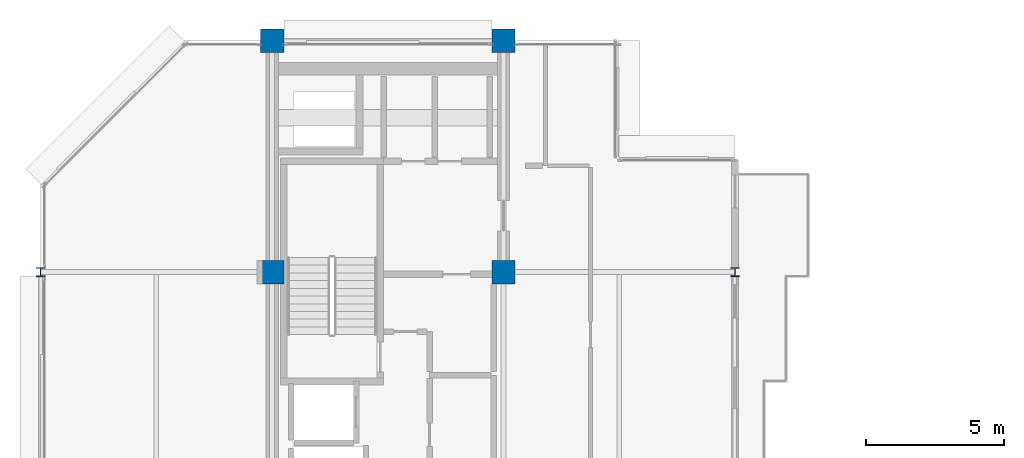
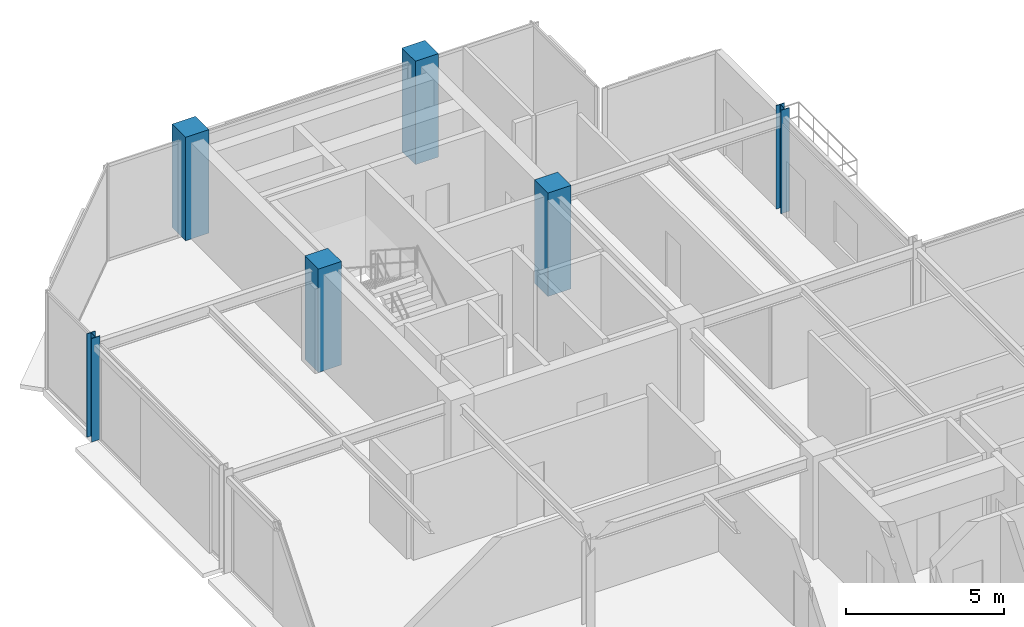
# One storey, part 2 of 27: 6 columns.
"""IFC4 building model written with IfcOpenShell, lengths in metres."""

from ifc_helpers import new_model, si_unit, direction, frame, origin, origin_2d, place, context, subcontext, project, spatial, rectangle, i_section, extrude, material, material_profile, profile_set, type_object, element, save


model = new_model("IFC4")

# Units and contexts
model_context = context("Model", 3, precision=1e-05, world=origin(), true_north=direction((0.0, 1.0)))
body_context = subcontext(model_context, "Body", "Model", "MODEL_VIEW")
ifc_project = project(units=[si_unit("LENGTHUNIT", "METRE"), si_unit("AREAUNIT", "SQUARE_METRE"), si_unit("VOLUMEUNIT", "CUBIC_METRE"), si_unit("PLANEANGLEUNIT", "RADIAN"), si_unit("MASSUNIT", "GRAM", prefix="KILO")], contexts=[model_context])

# Site, building, storey
site_placement = place(None, origin())
site = spatial("IfcSite", under=ifc_project, at=site_placement, CompositionType="ELEMENT")
building_placement = place(site_placement, origin())
building = spatial("IfcBuilding", under=site, at=building_placement, Name="Nerrivon Quay Data Exchange", CompositionType="ELEMENT")
storey_placement = place(building_placement, frame((0.0, 0.0, 254.199951171875)))
storey = spatial("IfcBuildingStorey", under=building, at=storey_placement, Name="L60", CompositionType="ELEMENT", Elevation=254.199951171875)

# Columns
ifc_material_1 = material(Name="Concrete N50 (50 MPa)", Category="concrete")
ifc_material_profile_1 = material_profile(ifc_material_1, rectangle(XDim=0.85009765625, YDim=0.85009765625, at=origin_2d()), Name="RC-COL-850x850")
ifc_profile_set_1 = profile_set([ifc_material_profile_1], Name="Concrete N50 (50 MPa)")
column_type_1 = type_object("IfcColumnType", Name="COL-C5-850", PredefinedType="COLUMN", material=ifc_profile_set_1)
for number, where, z_axis, x_axis, name in (
    (1, (8.39990234375, 33.60009765625, 0.0), (0.0, 0.0, 1.0), (1.0, 0.0, 0.0), "L60 Column (8.4,33.6)"),
    (2, (8.39990234375, 42.0, 0.0), (0.0, 0.0, 1.0), (1.0, 0.0, 0.0), "L60 Column (8.4,42.0)"),
    (3, (16.800048828125, 33.60009765625, 0.0), (0.0, 0.0, 1.0), (1.0, 0.0, 0.0), "L60 Column (16.8,33.6)"),
    (4, (16.800048828125, 42.0, 0.0), (0.0, 0.0, 1.0), (1.0, 0.0, 0.0), "L60 Column (16.8,42.0)"),
):
    element("IfcColumn", number, at=place(storey_placement, frame(where, z_axis=z_axis, x_axis=x_axis)), inside=storey, type_object=column_type_1, Name=name, PredefinedType="COLUMN", context=body_context, shape_type="SweptSolid", body=[
        extrude(rectangle(XDim=0.85009765625, YDim=0.85009765625, at=origin_2d()), origin(), (0.0, 0.0, 1.0), 4.0),
    ])
ifc_material_2 = material(Name="Steel Grade 350", Category="steel")
ifc_material_profile_2 = material_profile(ifc_material_2, i_section(OverallWidth=0.31103515625, OverallDepth=0.326904296875, WebThickness=0.015625, FlangeThickness=0.02490234375, FilletRadius=0.0166015625, at=origin_2d()), Name="310UC158")
ifc_profile_set_2 = profile_set([ifc_material_profile_2], Name="Steel Grade 350")
column_type_2 = type_object("IfcColumnType", Name="COL-SC4-310UC158", PredefinedType="COLUMN", material=ifc_profile_set_2)
for number, where, z_axis, x_axis, name in (
    (5, (0.0, 33.60009765625, 0.0), (0.0, 0.0, 1.0), (1.0, 0.0, 0.0), "L60 Column (0.0,33.6)"),
    (6, (25.199951171875, 33.60009765625, 0.0), (0.0, 0.0, 1.0), (1.0, 0.0, 0.0), "L60 Column (25.2,33.6)"),
):
    element("IfcColumn", number, at=place(storey_placement, frame(where, z_axis=z_axis, x_axis=x_axis)), inside=storey, type_object=column_type_2, Name=name, PredefinedType="COLUMN", context=body_context, shape_type="SweptSolid", body=[
        extrude(i_section(OverallWidth=0.31103515625, OverallDepth=0.326904296875, WebThickness=0.015625, FlangeThickness=0.02490234375, FilletRadius=0.0166015625, at=origin_2d()), origin(), (0.0, 0.0, 1.0), 4.0),
    ])

save(model, "model.ifc")
